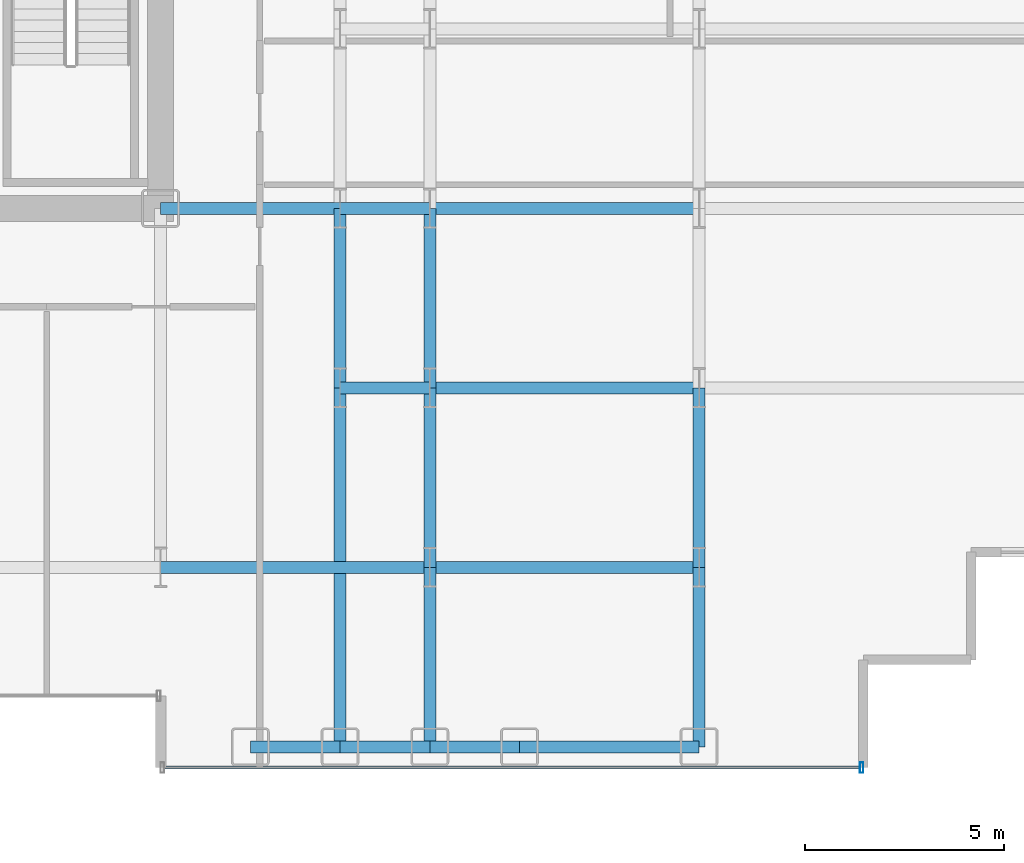
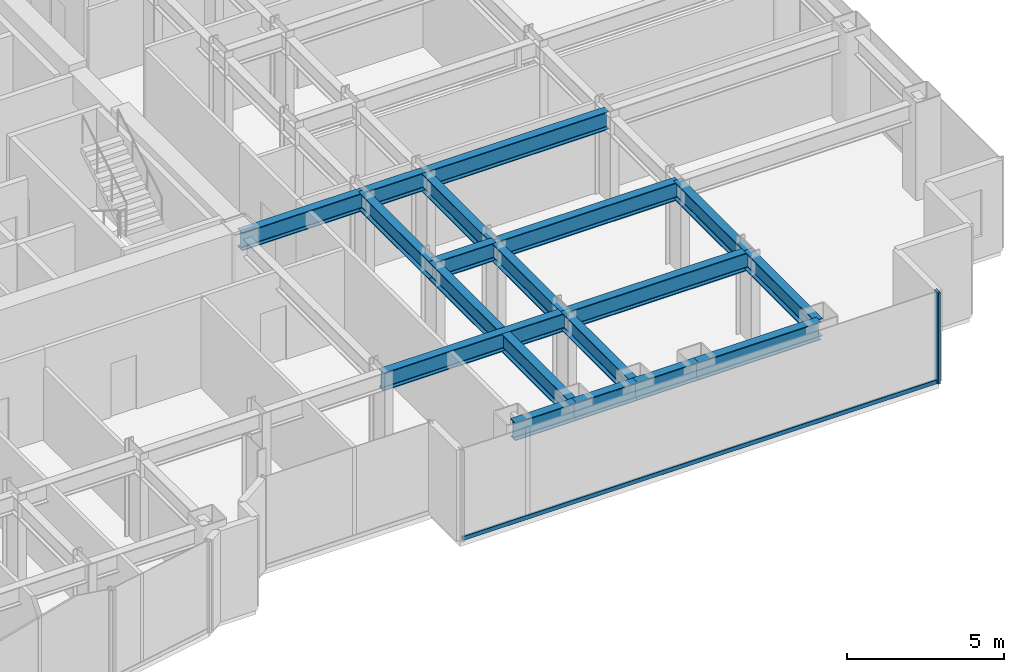
# One storey, part 7 of 26: 18 beams, 2 members, 1 element without a shape of its own.
"""IFC4 building model written with IfcOpenShell, lengths in metres."""

import ifcopenshell
import ifcopenshell.guid

model = None  # the IFC model being written
_history = None  # IfcOwnerHistory: only IFC2X3 demands one
_inside = {}  # id of a spatial element -> (the spatial element, [elements in it])
_under = {}  # id of a project, library or spatial element -> (it, [spatial elements below it])
_declared = {}  # id of a project -> (the project, [libraries it declares])
_typed = {}  # id of a type object -> (the type object, [elements of that type])
_made_of = {}  # id of a material, layer set ... -> (it, [elements and type objects made of it])


def new_model(schema):
    """Start an empty IFC model of exactly this schema.

    Asked for "IFC4X3", IfcOpenShell would pick the latest addendum, in which some entities
    have other attributes; the version numbers below select the first issue.
    IFC2X3 requires an IfcOwnerHistory on every rooted entity: one is made here for all.
    """
    global model, _history
    if schema == "IFC4X3":
        model = ifcopenshell.file(schema_version=(4, 3, 0, 0))
    else:
        model = ifcopenshell.file(schema=schema)
    _inside.clear()
    _under.clear()
    _declared.clear()
    _typed.clear()
    _made_of.clear()
    _history = None
    if model.schema == "IFC2X3":
        org = make("IfcOrganization", Name="unknown")
        user = make(
            "IfcPersonAndOrganization",
            ThePerson=make("IfcPerson", FamilyName="unknown"),
            TheOrganization=org,
        )
        app = make(
            "IfcApplication",
            ApplicationDeveloper=org,
            Version="unknown",
            ApplicationFullName="unknown",
            ApplicationIdentifier="unknown",
        )
        _history = make(
            "IfcOwnerHistory",
            OwningUser=user,
            OwningApplication=app,
            ChangeAction="ADDED",
            CreationDate=0,
        )
    return model


def make(cls, **values):
    """One entity of the class cls with the attributes given. An attribute that is None is left unset."""
    return model.create_entity(
        cls, **{name: value for name, value in values.items() if value is not None}
    )


def rooted(cls, **values):
    """An entity with a GlobalId (a new one), such as an element, a storey or a relation."""
    return make(cls, GlobalId=ifcopenshell.guid.new(), OwnerHistory=_history, **values)


def si_unit(unit_type, name, prefix=None):
    """IfcSIUnit, for example si_unit("LENGTHUNIT", "METRE", prefix="MILLI")."""
    return make("IfcSIUnit", UnitType=unit_type, Prefix=prefix, Name=name)


def assignment(units):
    """IfcUnitAssignment: the units of a project."""
    return None if units is None else make("IfcUnitAssignment", Units=units)


def point(xyz):
    """IfcCartesianPoint."""
    return None if xyz is None else make("IfcCartesianPoint", Coordinates=xyz)


def direction(xyz):
    """IfcDirection."""
    return None if xyz is None else make("IfcDirection", DirectionRatios=xyz)


def frame(location, z_axis=None, x_axis=None):
    """IfcAxis2Placement3D, a coordinate frame: its origin and axes. An axis left out is left unset."""
    return make(
        "IfcAxis2Placement3D",
        Location=point(location),
        Axis=direction(z_axis),
        RefDirection=direction(x_axis),
    )


def frame_2d(location, x_axis=None):
    """IfcAxis2Placement2D, a coordinate frame in the plane: its origin and x axis."""
    return make(
        "IfcAxis2Placement2D", Location=point(location), RefDirection=direction(x_axis)
    )


def origin():
    """The frame at (0, 0, 0) with its axes left unset."""
    return frame((0.0, 0.0, 0.0))


def origin_2d():
    """The frame at (0, 0) in the plane with its x axis left unset."""
    return frame_2d((0.0, 0.0))


def place(relative_to, where):
    """IfcLocalPlacement: puts the frame where relative to a parent placement (None: the world)."""
    return make(
        "IfcLocalPlacement", PlacementRelTo=relative_to, RelativePlacement=where
    )


def context(
    kind, dimensions, precision=None, world=None, true_north=None, identifier=None
):
    """IfcGeometricRepresentationContext, for example the 3D "Model" context."""
    return make(
        "IfcGeometricRepresentationContext",
        ContextIdentifier=identifier,
        ContextType=kind,
        CoordinateSpaceDimension=dimensions,
        Precision=precision,
        WorldCoordinateSystem=world,
        TrueNorth=true_north,
    )


def subcontext(parent, identifier, kind, view, scale=None):
    """IfcGeometricRepresentationSubContext, for example "Body" below "Model"."""
    return make(
        "IfcGeometricRepresentationSubContext",
        ContextIdentifier=identifier,
        ContextType=kind,
        ParentContext=parent,
        TargetScale=scale,
        TargetView=view,
    )


def project(units=None, contexts=None):
    """IfcProject with its units and contexts."""
    return rooted(
        "IfcProject",
        Name="project",
        RepresentationContexts=contexts,
        UnitsInContext=assignment(units),
    )


def spatial(cls, under=None, at=None, **own):
    """A site, building, storey or space (cls), placed at a placement, below another one or the project."""
    s = rooted(cls, ObjectPlacement=at, **own)
    if under is not None:
        _under.setdefault(under.id(), (under, []))[1].append(s)
    return s


def profile(cls, at=None, kind="AREA", **sizes):
    """A parametric profile (cls). Its sizes go by their IFC names, for example OverallWidth=200.0."""
    return make(cls, ProfileType=kind, Position=at, **sizes)


def hollow_rectangle(**sizes):
    """IfcRectangleHollowProfileDef."""
    return profile("IfcRectangleHollowProfileDef", **sizes)


def i_section(**sizes):
    """IfcIShapeProfileDef."""
    return profile("IfcIShapeProfileDef", **sizes)


def extrude(swept, where, along, depth):
    """IfcExtrudedAreaSolid: the profile swept, set in the frame where, extruded along a direction by depth."""
    return make(
        "IfcExtrudedAreaSolid",
        SweptArea=swept,
        Position=where,
        ExtrudedDirection=direction(along),
        Depth=depth,
    )


def shape(context_of_items, identifier, shape_type, items):
    """IfcShapeRepresentation: the items that make up one representation, for example the "Body"."""
    return make(
        "IfcShapeRepresentation",
        ContextOfItems=context_of_items,
        RepresentationIdentifier=identifier,
        RepresentationType=shape_type,
        Items=items,
    )


def source(mapping_origin, context_of_items, identifier, shape_type, items):
    """IfcRepresentationMap: a shape defined once, which mapped items show again and again."""
    return make(
        "IfcRepresentationMap",
        MappingOrigin=mapping_origin,
        MappedRepresentation=shape(context_of_items, identifier, shape_type, items),
    )


def transform(
    local_origin,
    x_axis=None,
    y_axis=None,
    z_axis=None,
    scale=None,
    scale2=None,
    scale3=None,
    uniform=True,
):
    """IfcCartesianTransformationOperator3D, or its non-uniform kind. x_axis, y_axis, z_axis: its Axis1, 2, 3."""
    if uniform:
        return make(
            "IfcCartesianTransformationOperator3D",
            Axis1=direction(x_axis),
            Axis2=direction(y_axis),
            LocalOrigin=point(local_origin),
            Scale=scale,
            Axis3=direction(z_axis),
        )
    return make(
        "IfcCartesianTransformationOperator3DnonUniform",
        Axis1=direction(x_axis),
        Axis2=direction(y_axis),
        LocalOrigin=point(local_origin),
        Scale=scale,
        Axis3=direction(z_axis),
        Scale2=scale2,
        Scale3=scale3,
    )


def mapped(mapping_source, mapping_target):
    """IfcMappedItem: shows the shape of a source again, moved by a transform."""
    return make(
        "IfcMappedItem", MappingSource=mapping_source, MappingTarget=mapping_target
    )


def material(Name=None, Category=None):
    """IfcMaterial."""
    return make("IfcMaterial", Name=Name, Category=Category)


def layer(
    of_material, thickness, ventilated=None, Name=None, Category=None, Priority=None
):
    """IfcMaterialLayer: one layer of a wall or slab, of a material (None: an air gap)."""
    return make(
        "IfcMaterialLayer",
        Material=of_material,
        LayerThickness=thickness,
        IsVentilated=ventilated,
        Name=Name,
        Category=Category,
        Priority=Priority,
    )


def layer_set(layers, Name=None):
    """IfcMaterialLayerSet."""
    return make("IfcMaterialLayerSet", MaterialLayers=layers, LayerSetName=Name)


def material_profile(
    of_material, cross_section, Name=None, Category=None, Priority=None
):
    """IfcMaterialProfile: a cross section and its material."""
    return make(
        "IfcMaterialProfile",
        Name=Name,
        Material=of_material,
        Profile=cross_section,
        Priority=Priority,
        Category=Category,
    )


def profile_set(profiles, Name=None, composite=None):
    """IfcMaterialProfileSet."""
    return make(
        "IfcMaterialProfileSet",
        Name=Name,
        MaterialProfiles=profiles,
        CompositeProfile=composite,
    )


def made_of(thing, what):
    """Note that an element or type object is made of a material, layer set ...; save() writes the relation."""
    if what is not None:
        _made_of.setdefault(what.id(), (what, []))[1].append(thing)
    return thing


def type_object(cls, material=None, **own):
    """A type object (cls), such as IfcWallType, which elements share."""
    return made_of(rooted(cls, **own), material)


def element(
    cls,
    number,
    at=None,
    inside=None,
    cuts=None,
    type_object=None,
    material=None,
    context=None,
    identifier="Body",
    shape_type=None,
    held_by="IfcProductDefinitionShape",
    body=None,
    shapes=None,
    **own,
):
    """One element of the class cls, such as IfcWall. Its Tag is "e" and its number.

    at: its placement. inside: the storey or other place that contains it. cuts: it is an
    opening in that element (IfcRelVoidsElement). A single representation is given by context,
    identifier, shape_type and body (its items); several are given by shapes. held_by: the class
    of the entity that holds the representations. save() writes the other relations.
    """
    e = rooted(cls, Tag="e%d" % number, ObjectPlacement=at, **own)
    if body is not None:
        shapes = [shape(context, identifier, shape_type, body)]
    if shapes is not None:
        e.Representation = make(held_by, Representations=shapes)
    if inside is not None:
        _inside.setdefault(inside.id(), (inside, []))[1].append(e)
    if cuts is not None:
        rooted(
            "IfcRelVoidsElement", RelatingBuildingElement=cuts, RelatedOpeningElement=e
        )
    if type_object is not None:
        _typed.setdefault(type_object.id(), (type_object, []))[1].append(e)
    return made_of(e, material)


def aggregate(whole, parts):
    """IfcRelAggregates: a whole, such as a stair, and the parts it consists of."""
    return rooted("IfcRelAggregates", RelatingObject=whole, RelatedObjects=parts)


def save(model, path):
    """Write the relations noted so far, then the file.

    IfcRelAggregates (storeys below a building ...), IfcRelContainedInSpatialStructure (elements
    in a storey), IfcRelDefinesByType, IfcRelAssociatesMaterial and IfcRelDeclares: one each for
    every whole, place, type object, material and project.
    """
    for whole, parts in _under.values():
        aggregate(whole, parts)
    for where, things in _inside.values():
        rooted(
            "IfcRelContainedInSpatialStructure",
            RelatedElements=things,
            RelatingStructure=where,
        )
    for kind, things in _typed.values():
        rooted("IfcRelDefinesByType", RelatedObjects=things, RelatingType=kind)
    for what, things in _made_of.values():
        rooted("IfcRelAssociatesMaterial", RelatedObjects=things, RelatingMaterial=what)
    for by, libraries in _declared.values():
        rooted("IfcRelDeclares", RelatingContext=by, RelatedDefinitions=libraries)
    model.write(path)


model = new_model("IFC4")

# Units and contexts
model_context = context("Model", 3, precision=1e-05, world=origin(), true_north=direction((0.0, 1.0)))
body_context = subcontext(model_context, "Body", "Model", "MODEL_VIEW")
ifc_project = project(units=[si_unit("LENGTHUNIT", "METRE"), si_unit("AREAUNIT", "SQUARE_METRE"), si_unit("VOLUMEUNIT", "CUBIC_METRE"), si_unit("PLANEANGLEUNIT", "RADIAN"), si_unit("MASSUNIT", "GRAM", prefix="KILO")], contexts=[model_context])

# Site, building, storey
site_placement = place(None, origin())
site = spatial("IfcSite", under=ifc_project, at=site_placement, CompositionType="ELEMENT")
building_placement = place(site_placement, origin())
building = spatial("IfcBuilding", under=site, at=building_placement, Name="Nefas-Gora Pilgrimage Tower", CompositionType="ELEMENT")
storey_placement = place(building_placement, frame((0.0, 0.0, 36.800048828125)))
storey = spatial("IfcBuildingStorey", under=building, at=storey_placement, Name="L07", CompositionType="ELEMENT", Elevation=36.800048828125)

# Beams
ifc_material_1 = material(Name="Steel S355", Category="steel")
ifc_material_profile_1 = material_profile(ifc_material_1, i_section(OverallWidth=0.300048828125, OverallDepth=0.699951171875, WebThickness=0.01708984375, FlangeThickness=0.031982421875, FilletRadius=0.027099609375, at=origin_2d()), Name="HEB 700")
ifc_profile_set_1 = profile_set([ifc_material_profile_1], Name="Steel S355")
beam_type_1 = type_object("IfcBeamType", Name="BM-SPN-HEB600", PredefinedType="SPANDREL", material=ifc_profile_set_1)
shared_shape_1 = source(origin(), body_context, "Body", "SweptSolid", [
    extrude(i_section(OverallWidth=0.300048828125, OverallDepth=0.699951171875, WebThickness=0.01708984375, FlangeThickness=0.031982421875, FilletRadius=0.027099609375, at=origin_2d()), origin(), (0.0, 0.0, 1.0), 4.5),
])
beam_1_placement = place(storey_placement, frame((20.25, -22.5, 3.199951171875), z_axis=(1.0, 0.0, 0.0), x_axis=(0.0, 1.0, 0.0)))
element("IfcBeam", 1, at=beam_1_placement, inside=storey, type_object=beam_type_1, Name="L07 SP-01 beam", PredefinedType="SPANDREL", context=body_context, shape_type="MappedRepresentation", body=[
    mapped(shared_shape_1, transform((0.0, 0.0, 0.0), x_axis=(1.0, 0.0, 0.0), y_axis=(0.0, 1.0, 0.0), z_axis=(0.0, 0.0, 1.0), scale=1.0)),
])
ifc_material_profile_2 = material_profile(ifc_material_1, i_section(OverallWidth=0.300048828125, OverallDepth=0.699951171875, WebThickness=0.01708984375, FlangeThickness=0.031982421875, FilletRadius=0.027099609375, at=origin_2d()), Name="HEB 700")
ifc_profile_set_2 = profile_set([ifc_material_profile_2], Name="Steel S355")
beam_type_2 = type_object("IfcBeamType", Name="BM-GIR-HEB700", PredefinedType="BEAM", material=ifc_profile_set_2)
shared_shape_2 = source(origin(), body_context, "Body", "SweptSolid", [
    extrude(i_section(OverallWidth=0.300048828125, OverallDepth=0.699951171875, WebThickness=0.01708984375, FlangeThickness=0.031982421875, FilletRadius=0.027099609375, at=origin_2d()), origin(), (0.0, 0.0, 1.0), 9.0),
])
beam_2_placement = place(storey_placement, frame((15.75, -22.5, 3.199951171875), z_axis=(0.0, 1.0, 0.0), x_axis=(-1.0, 0.0, 0.0)))
element("IfcBeam", 2, at=beam_2_placement, inside=storey, type_object=beam_type_2, Name="L07 G-02 beam", PredefinedType="BEAM", context=body_context, shape_type="MappedRepresentation", body=[
    mapped(shared_shape_2, transform((0.0, 0.0, 0.0), x_axis=(1.0, 0.0, 0.0), y_axis=(0.0, 1.0, 0.0), z_axis=(0.0, 0.0, 1.0), scale=1.0)),
])
shared_shape_3 = source(origin(), body_context, "Body", "SweptSolid", [
    extrude(i_section(OverallWidth=0.300048828125, OverallDepth=0.699951171875, WebThickness=0.01708984375, FlangeThickness=0.031982421875, FilletRadius=0.027099609375, at=origin_2d()), origin(), (0.0, 0.0, 1.0), 4.5),
])
for number, where, z_axis, x_axis, name in (
    (3, (11.25, -9.0, 3.199951171875), (1.0, 0.0, 0.0), (0.0, 1.0, 0.0), "L07 G-02 beam"),
    (4, (15.75, -13.5, 3.199951171875), (0.0, 1.0, 0.0), (-1.0, 0.0, 0.0), "L07 G-02 beam"),
    (5, (18.0, -22.5, 3.199951171875), (0.0, 1.0, 0.0), (-1.0, 0.0, 0.0), "L07 G-02 beam"),
    (6, (18.0, -18.0, 3.199951171875), (0.0, 1.0, 0.0), (-1.0, 0.0, 0.0), "L07 G-02 beam"),
    (7, (18.0, -13.5, 3.199951171875), (0.0, 1.0, 0.0), (-1.0, 0.0, 0.0), "L07 G-02 beam"),
    (8, (24.75, -22.5, 3.199951171875), (0.0, 1.0, 0.0), (-1.0, 0.0, 0.0), "L07 G-02 beam"),
    (9, (24.75, -18.0, 3.199951171875), (0.0, 1.0, 0.0), (-1.0, 0.0, 0.0), "L07 G-02 beam"),
):
    element("IfcBeam", number, at=place(storey_placement, frame(where, z_axis=z_axis, x_axis=x_axis)), inside=storey, type_object=beam_type_2, Name=name, PredefinedType="BEAM", context=body_context, shape_type="MappedRepresentation", body=[
        mapped(shared_shape_3, transform((0.0, 0.0, 0.0), x_axis=(1.0, 0.0, 0.0), y_axis=(0.0, 1.0, 0.0), z_axis=(0.0, 0.0, 1.0), scale=1.0)),
    ])
shared_shape_4 = source(origin(), body_context, "Body", "SweptSolid", [
    extrude(i_section(OverallWidth=0.300048828125, OverallDepth=0.699951171875, WebThickness=0.01708984375, FlangeThickness=0.031982421875, FilletRadius=0.027099609375, at=origin_2d()), origin(), (0.0, 0.0, 1.0), 6.75),
])
for number, where, z_axis, x_axis, name in (
    (10, (11.25, -18.0, 3.199951171875), (1.0, 0.0, 0.0), (0.0, 1.0, 0.0), "L07 G-02 beam"),
    (11, (18.0, -18.0, 3.199951171875), (1.0, 0.0, 0.0), (0.0, 1.0, 0.0), "L07 G-02 beam"),
    (12, (18.0, -13.5, 3.199951171875), (1.0, 0.0, 0.0), (0.0, 1.0, 0.0), "L07 G-02 beam"),
    (13, (18.0, -9.0, 3.199951171875), (1.0, 0.0, 0.0), (0.0, 1.0, 0.0), "L07 G-02 beam"),
):
    element("IfcBeam", number, at=place(storey_placement, frame(where, z_axis=z_axis, x_axis=x_axis)), inside=storey, type_object=beam_type_2, Name=name, PredefinedType="BEAM", context=body_context, shape_type="MappedRepresentation", body=[
        mapped(shared_shape_4, transform((0.0, 0.0, 0.0), x_axis=(1.0, 0.0, 0.0), y_axis=(0.0, 1.0, 0.0), z_axis=(0.0, 0.0, 1.0), scale=1.0)),
    ])
shared_shape_5 = source(origin(), body_context, "Body", "SweptSolid", [
    extrude(i_section(OverallWidth=0.300048828125, OverallDepth=0.699951171875, WebThickness=0.01708984375, FlangeThickness=0.031982421875, FilletRadius=0.027099609375, at=origin_2d()), origin(), (0.0, 0.0, 1.0), 2.25),
])
for number, where, z_axis, x_axis, name in (
    (14, (13.5, -22.5, 3.199951171875), (1.0, 0.0, 0.0), (0.0, 1.0, 0.0), "L07 SP-01 beam"),
    (15, (15.75, -22.5, 3.199951171875), (1.0, 0.0, 0.0), (0.0, 1.0, 0.0), "L07 SP-01 beam"),
    (16, (18.0, -22.5, 3.199951171875), (1.0, 0.0, 0.0), (0.0, 1.0, 0.0), "L07 SP-01 beam"),
):
    element("IfcBeam", number, at=place(storey_placement, frame(where, z_axis=z_axis, x_axis=x_axis)), inside=storey, type_object=beam_type_1, Name=name, PredefinedType="SPANDREL", context=body_context, shape_type="MappedRepresentation", body=[
        mapped(shared_shape_5, transform((0.0, 0.0, 0.0), x_axis=(1.0, 0.0, 0.0), y_axis=(0.0, 1.0, 0.0), z_axis=(0.0, 0.0, 1.0), scale=1.0)),
    ])
shared_shape_6 = source(origin(), body_context, "Body", "SweptSolid", [
    extrude(i_section(OverallWidth=0.300048828125, OverallDepth=0.699951171875, WebThickness=0.01708984375, FlangeThickness=0.031982421875, FilletRadius=0.027099609375, at=origin_2d()), origin(), (0.0, 0.0, 1.0), 2.25),
])
for number, where, z_axis, x_axis, name in (
    (17, (15.75, -13.5, 3.199951171875), (1.0, 0.0, 0.0), (0.0, 1.0, 0.0), "L07 G-02 beam"),
    (18, (15.75, -9.0, 3.199951171875), (1.0, 0.0, 0.0), (0.0, 1.0, 0.0), "L07 G-02 beam"),
):
    element("IfcBeam", number, at=place(storey_placement, frame(where, z_axis=z_axis, x_axis=x_axis)), inside=storey, type_object=beam_type_2, Name=name, PredefinedType="BEAM", context=body_context, shape_type="MappedRepresentation", body=[
        mapped(shared_shape_6, transform((0.0, 0.0, 0.0), x_axis=(1.0, 0.0, 0.0), y_axis=(0.0, 1.0, 0.0), z_axis=(0.0, 0.0, 1.0), scale=1.0)),
    ])

# Curtain wall, members
ifc_material_2 = material(Name="Dark ceramic-fritted solar-control aluminium-glass curtain wall", Category="aluminium")
ifc_layer = layer(ifc_material_2, 0.219970703125)
ifc_layer_set = layer_set([ifc_layer], Name="Dark ceramic-fritted solar-control aluminium-glass curtain wall")
curtain_wall_type = type_object("IfcCurtainWallType", Name="CW-SYS-2", PredefinedType="NOTDEFINED", material=ifc_layer_set)
curtain_wall_placement = place(storey_placement, origin())
curtain_wall = element("IfcCurtainWall", 19, at=curtain_wall_placement, inside=storey, type_object=curtain_wall_type, Name="L07 Unitised Curtain Wall CW2", PredefinedType="NOTDEFINED")
ifc_material_3 = material(Name="Anodised architectural aluminium", Category="aluminium")
ifc_material_profile_3 = material_profile(ifc_material_3, hollow_rectangle(XDim=0.090087890625, YDim=0.260009765625, WallThickness=0.006103515625, InnerFilletRadius=0.006103515625, OuterFilletRadius=0.011962890625, at=origin_2d()), Name="ALU MULLION 90x260")
ifc_profile_set_3 = profile_set([ifc_material_profile_3], Name="Anodised architectural aluminium")
member_type_1 = type_object("IfcMemberType", Name="CWM-MUL-2", PredefinedType="MULLION", material=ifc_profile_set_3)
shared_shape_7 = source(origin(), body_context, "Body", "SweptSolid", [
    extrude(hollow_rectangle(XDim=0.090087890625, YDim=0.260009765625, WallThickness=0.006103515625, InnerFilletRadius=0.006103515625, OuterFilletRadius=0.011962890625, at=origin_2d()), origin(), (0.0, 0.0, 1.0), 3.550048828125),
])
member_1_placement = place(storey_placement, frame((28.824951171875, -23.02001953125, 0.0), z_axis=(0.0, 0.0, 1.0), x_axis=(1.0, 0.0, 0.0)))
member_1 = element("IfcMember", 20, at=member_1_placement, type_object=member_type_1, Name="CW2 Mullion 2", PredefinedType="MULLION", context=body_context, shape_type="MappedRepresentation", body=[
    mapped(shared_shape_7, transform((0.0, 0.0, 0.0), x_axis=(1.0, 0.0, 0.0), y_axis=(0.0, 1.0, 0.0), z_axis=(0.0, 0.0, 1.0), scale=1.0)),
])
ifc_material_profile_4 = material_profile(ifc_material_3, hollow_rectangle(XDim=0.080078125, YDim=0.159912109375, WallThickness=0.00439453125, InnerFilletRadius=0.00439453125, OuterFilletRadius=0.009033203125, at=origin_2d()), Name="ALU TRANSOM 80x160")
ifc_profile_set_4 = profile_set([ifc_material_profile_4], Name="Anodised architectural aluminium")
member_type_2 = type_object("IfcMemberType", Name="CWM-TRN-2", PredefinedType="USERDEFINED", material=ifc_profile_set_4)
shared_shape_8 = source(origin(), body_context, "Body", "SweptSolid", [
    extrude(hollow_rectangle(XDim=0.080078125, YDim=0.159912109375, WallThickness=0.00439453125, InnerFilletRadius=0.00439453125, OuterFilletRadius=0.009033203125, at=origin_2d()), origin(), (0.0, 0.0, 1.0), 17.43994140625),
])
member_2_placement = place(storey_placement, frame((11.340087890625, -23.02001953125, 0.050048828125), z_axis=(1.0, 0.0, 0.0), x_axis=(0.0, 1.0, 0.0)))
member_2 = element("IfcMember", 21, at=member_2_placement, type_object=member_type_2, Name="CW2 Spandrel Transom", ObjectType="TRANSOM", PredefinedType="USERDEFINED", context=body_context, shape_type="MappedRepresentation", body=[
    mapped(shared_shape_8, transform((0.0, 0.0, 0.0), x_axis=(1.0, 0.0, 0.0), y_axis=(0.0, 1.0, 0.0), z_axis=(0.0, 0.0, 1.0), scale=1.0)),
])
aggregate(curtain_wall, [member_1, member_2])

save(model, "model.ifc")
